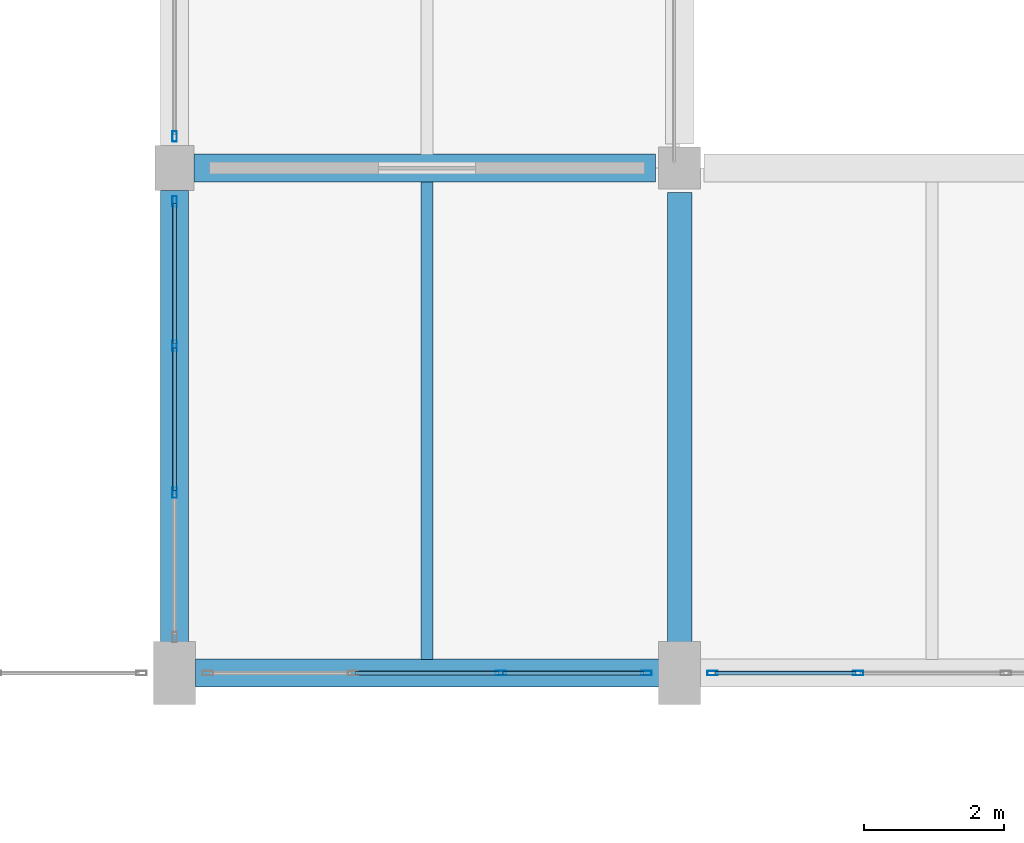
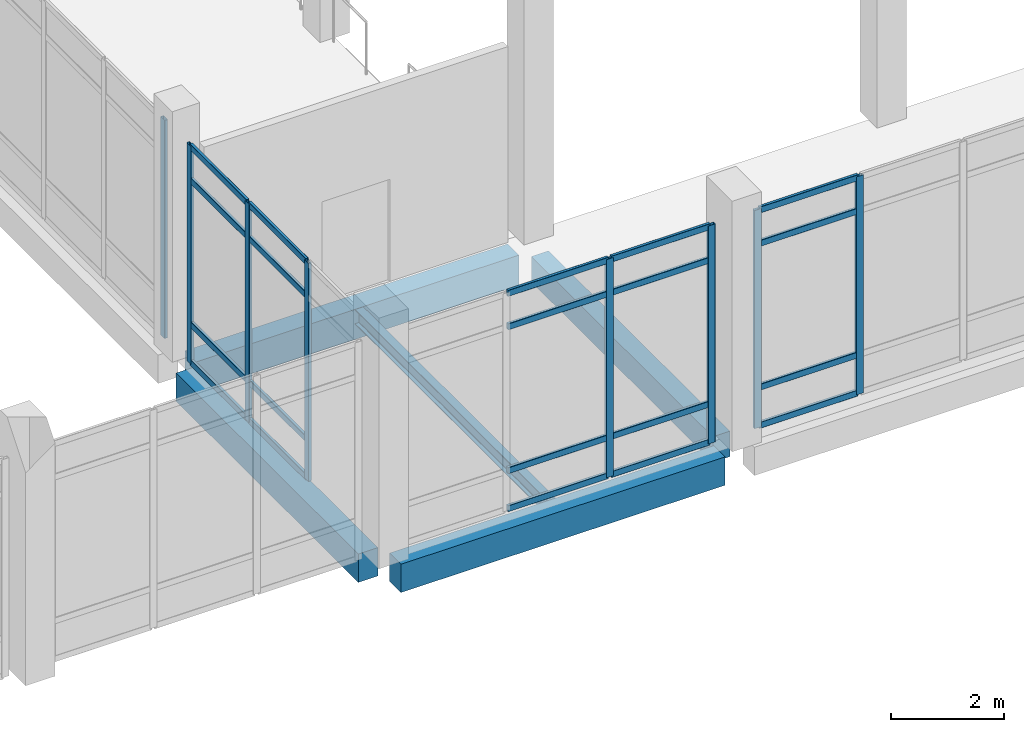
# One storey, part 105 of 180: 28 members, 5 beams, 4 elements without a shape of their own.
"""IFC4 building model written with IfcOpenShell, lengths in metres."""

from ifc_helpers import new_model, si_unit, direction, frame, origin, origin_2d, place, context, subcontext, project, spatial, rectangle, hollow_rectangle, i_section, extrude, material, material_profile, profile_set, type_object, element, aggregate, save


model = new_model("IFC4")

# Units and contexts
model_context = context("Model", 3, precision=1e-05, world=origin(), true_north=direction((0.0, 1.0)))
body_context = subcontext(model_context, "Body", "Model", "MODEL_VIEW")
ifc_project = project(units=[si_unit("LENGTHUNIT", "METRE"), si_unit("AREAUNIT", "SQUARE_METRE"), si_unit("VOLUMEUNIT", "CUBIC_METRE"), si_unit("PLANEANGLEUNIT", "RADIAN"), si_unit("MASSUNIT", "GRAM", prefix="KILO")], contexts=[model_context])

# Site, building, storey
site_placement = place(None, origin())
site = spatial("IfcSite", under=ifc_project, at=site_placement, CompositionType="ELEMENT")
building_placement = place(site_placement, origin())
building = spatial("IfcBuilding", under=site, at=building_placement, Name="Lusvemor Sports Hall", CompositionType="ELEMENT")
storey_placement = place(building_placement, frame((0.0, 0.0, 5.39990234375)))
storey = spatial("IfcBuildingStorey", under=building, at=storey_placement, Name="L01", CompositionType="ELEMENT", Elevation=5.39990234375)

# Beams
ifc_material_1 = material(Name="Concrete C40/50", Category="concrete")
ifc_material_profile_1 = material_profile(ifc_material_1, rectangle(XDim=0.35009765625, YDim=0.550048828125, at=origin_2d()), Name="RC350x550")
ifc_profile_set_1 = profile_set([ifc_material_profile_1], Name="Concrete C40/50")
beam_type_1 = type_object("IfcBeamType", Name="BEAM_RC_550", PredefinedType="BEAM", material=ifc_profile_set_1)
beam_1_placement = place(storey_placement, frame((140.39990234375, 40.0458984375, -0.534912109375), z_axis=(0.0, 1.0, 0.0), x_axis=(-1.0, 0.0, 0.0)))
element("IfcBeam", 1, at=beam_1_placement, inside=storey, type_object=beam_type_1, Name="Beam L01 16:E-F", PredefinedType="BEAM", context=body_context, shape_type="SweptSolid", body=[
    extrude(rectangle(XDim=0.35009765625, YDim=0.550048828125, at=origin_2d()), origin(), (0.0, 0.0, 1.0), 6.408203125),
])
ifc_material_2 = material(Name="Concrete C40/50", Category="concrete")
ifc_material_profile_2 = material_profile(ifc_material_2, rectangle(XDim=0.39990234375, YDim=0.64990234375, at=origin_2d()), Name="RC400x650")
ifc_profile_set_2 = profile_set([ifc_material_profile_2], Name="Concrete C40/50")
beam_type_2 = type_object("IfcBeamType", Name="BEAM_RC_650", PredefinedType="BEAM", material=ifc_profile_set_2)
beam_2_placement = place(storey_placement, frame((133.47607421875, 46.800048828125, -0.5849609375), z_axis=(1.0, 0.0, 0.0), x_axis=(0.0, 1.0, 0.0)))
element("IfcBeam", 2, at=beam_2_placement, inside=storey, type_object=beam_type_2, Name="Beam L01 F:15-16", PredefinedType="BEAM", context=body_context, shape_type="SweptSolid", body=[
    extrude(rectangle(XDim=0.39990234375, YDim=0.64990234375, at=origin_2d()), origin(), (0.0, 0.0, 1.0), 6.577880859375),
])

# Curtain wall, members
ifc_material_3 = material(Name="Thermally broken bronze-anodized aluminium", Category="aluminium")
curtain_wall_type_1 = type_object("IfcCurtainWallType", Name="CW_COURT_C", PredefinedType="NOTDEFINED", material=ifc_material_3)
curtain_wall_1_placement = place(storey_placement, origin())
curtain_wall_1 = element("IfcCurtainWall", 3, at=curtain_wall_1_placement, inside=storey, type_object=curtain_wall_type_1, Name="Curtain Wall CW-V2N-L01-2", PredefinedType="NOTDEFINED")
ifc_material_4 = material(Name="Thermally broken bronze-anodized aluminium", Category="aluminium")
ifc_material_profile_3 = material_profile(ifc_material_4, hollow_rectangle(XDim=0.06494140625, YDim=0.14990234375, WallThickness=0.00390625, InnerFilletRadius=0.00390625, OuterFilletRadius=0.008056640625, at=origin_2d()), Name="CWMUL150x65x4")
ifc_profile_set_3 = profile_set([ifc_material_profile_3], Name="Thermally broken bronze-anodized aluminium")
member_type_1 = type_object("IfcMemberType", Name="CW_MUL_B", PredefinedType="MULLION", material=ifc_profile_set_3)
member_1_placement = place(storey_placement, frame((137.853271484375, 39.60009765625, 0.0), z_axis=(0.0, 0.0, 1.0), x_axis=(0.0, 1.0, 0.0)))
member_1 = element("IfcMember", 4, at=member_1_placement, type_object=member_type_1, Name="CW03 mullion 3", PredefinedType="MULLION", context=body_context, shape_type="SweptSolid", body=[
    extrude(hollow_rectangle(XDim=0.06494140625, YDim=0.14990234375, WallThickness=0.00390625, InnerFilletRadius=0.00390625, OuterFilletRadius=0.008056640625, at=origin_2d()), origin(), (0.0, 0.0, 1.0), 4.7001953125),
])
member_2_placement = place(storey_placement, frame((139.927490234375, 39.60009765625, 0.0), z_axis=(0.0, 0.0, 1.0), x_axis=(0.0, 1.0, 0.0)))
member_2 = element("IfcMember", 5, at=member_2_placement, type_object=member_type_1, Name="CW03 mullion 4", PredefinedType="MULLION", context=body_context, shape_type="SweptSolid", body=[
    extrude(hollow_rectangle(XDim=0.06494140625, YDim=0.14990234375, WallThickness=0.00390625, InnerFilletRadius=0.00390625, OuterFilletRadius=0.008056640625, at=origin_2d()), origin(), (0.0, 0.0, 1.0), 4.7001953125),
])

curtain_wall_2_placement = place(storey_placement, origin())
curtain_wall_2 = element("IfcCurtainWall", 6, at=curtain_wall_2_placement, inside=storey, type_object=curtain_wall_type_1, Name="Curtain Wall CW-V2N-L01-3", PredefinedType="NOTDEFINED")
member_3_placement = place(storey_placement, frame((140.87255859375, 39.60009765625, 0.0), z_axis=(0.0, 0.0, 1.0), x_axis=(0.0, 1.0, 0.0)))
member_3 = element("IfcMember", 7, at=member_3_placement, type_object=member_type_1, Name="CW03 mullion 1", PredefinedType="MULLION", context=body_context, shape_type="SweptSolid", body=[
    extrude(hollow_rectangle(XDim=0.06494140625, YDim=0.14990234375, WallThickness=0.00390625, InnerFilletRadius=0.00390625, OuterFilletRadius=0.008056640625, at=origin_2d()), origin(), (0.0, 0.0, 1.0), 4.7001953125),
])
member_4_placement = place(storey_placement, frame((142.94677734375, 39.60009765625, 0.0), z_axis=(0.0, 0.0, 1.0), x_axis=(0.0, 1.0, 0.0)))
member_4 = element("IfcMember", 8, at=member_4_placement, type_object=member_type_1, Name="CW03 mullion 2", PredefinedType="MULLION", context=body_context, shape_type="SweptSolid", body=[
    extrude(hollow_rectangle(XDim=0.06494140625, YDim=0.14990234375, WallThickness=0.00390625, InnerFilletRadius=0.00390625, OuterFilletRadius=0.008056640625, at=origin_2d()), origin(), (0.0, 0.0, 1.0), 4.7001953125),
])

# Curtain wall, member
ifc_material_5 = material(Name="Thermally broken bronze-anodized aluminium", Category="aluminium")
curtain_wall_type_2 = type_object("IfcCurtainWallType", Name="CW_CLIMB_D", PredefinedType="NOTDEFINED", material=ifc_material_5)
curtain_wall_3_placement = place(storey_placement, origin())
curtain_wall_3 = element("IfcCurtainWall", 9, at=curtain_wall_3_placement, inside=storey, type_object=curtain_wall_type_2, Name="Curtain Wall CW-V3W-L01-0", PredefinedType="NOTDEFINED")
member_5_placement = place(storey_placement, frame((133.199951171875, 47.25244140625, 0.0), z_axis=(0.0, 0.0, 1.0), x_axis=(-1.0, 0.0, 0.0)))
member_5 = element("IfcMember", 10, at=member_5_placement, type_object=member_type_1, Name="CW04 mullion 1", PredefinedType="MULLION", context=body_context, shape_type="SweptSolid", body=[
    extrude(hollow_rectangle(XDim=0.06494140625, YDim=0.14990234375, WallThickness=0.00390625, InnerFilletRadius=0.00390625, OuterFilletRadius=0.008056640625, at=origin_2d()), origin(), (0.0, 0.0, 1.0), 4.7001953125),
])
aggregate(curtain_wall_3, [member_5])

# Curtain wall, members
ifc_material_6 = material(Name="Thermally broken bronze-anodized aluminium", Category="aluminium")
curtain_wall_type_3 = type_object("IfcCurtainWallType", Name="CW_PASSAGE_E", PredefinedType="NOTDEFINED", material=ifc_material_6)
curtain_wall_4_placement = place(storey_placement, origin())
curtain_wall_4 = element("IfcCurtainWall", 11, at=curtain_wall_4_placement, inside=storey, type_object=curtain_wall_type_3, Name="Curtain Wall CW-ELINK-133-L01", PredefinedType="NOTDEFINED")
member_6_placement = place(storey_placement, frame((133.199951171875, 42.17333984375, 0.0), z_axis=(0.0, 0.0, 1.0), x_axis=(-1.0, 0.0, 0.0)))
member_6 = element("IfcMember", 12, at=member_6_placement, type_object=member_type_1, Name="CW05 mullion 2", PredefinedType="MULLION", context=body_context, shape_type="SweptSolid", body=[
    extrude(hollow_rectangle(XDim=0.06494140625, YDim=0.14990234375, WallThickness=0.00390625, InnerFilletRadius=0.00390625, OuterFilletRadius=0.008056640625, at=origin_2d()), origin(), (0.0, 0.0, 1.0), 4.7001953125),
])
member_7_placement = place(storey_placement, frame((133.199951171875, 44.2666015625, 0.0), z_axis=(0.0, 0.0, 1.0), x_axis=(-1.0, 0.0, 0.0)))
member_7 = element("IfcMember", 13, at=member_7_placement, type_object=member_type_1, Name="CW05 mullion 3", PredefinedType="MULLION", context=body_context, shape_type="SweptSolid", body=[
    extrude(hollow_rectangle(XDim=0.06494140625, YDim=0.14990234375, WallThickness=0.00390625, InnerFilletRadius=0.00390625, OuterFilletRadius=0.008056640625, at=origin_2d()), origin(), (0.0, 0.0, 1.0), 4.7001953125),
])
member_8_placement = place(storey_placement, frame((133.199951171875, 46.327392578125, 0.0), z_axis=(0.0, 0.0, 1.0), x_axis=(-1.0, 0.0, 0.0)))
member_8 = element("IfcMember", 14, at=member_8_placement, type_object=member_type_1, Name="CW05 mullion 4", PredefinedType="MULLION", context=body_context, shape_type="SweptSolid", body=[
    extrude(hollow_rectangle(XDim=0.06494140625, YDim=0.14990234375, WallThickness=0.00390625, InnerFilletRadius=0.00390625, OuterFilletRadius=0.008056640625, at=origin_2d()), origin(), (0.0, 0.0, 1.0), 4.7001953125),
])

# Member
ifc_material_7 = material(Name="Thermally broken bronze-anodized aluminium", Category="aluminium")
ifc_material_profile_4 = material_profile(ifc_material_7, hollow_rectangle(XDim=0.06005859375, YDim=0.135009765625, WallThickness=0.00390625, InnerFilletRadius=0.00390625, OuterFilletRadius=0.008056640625, at=origin_2d()), Name="CWTRN135x60x4")
ifc_profile_set_4 = profile_set([ifc_material_profile_4], Name="Thermally broken bronze-anodized aluminium")
member_type_2 = type_object("IfcMemberType", Name="CW_TRN_B", PredefinedType="USERDEFINED", material=ifc_profile_set_4)
member_9_placement = place(storey_placement, frame((135.779052734375, 39.60009765625, 0.030029296875), z_axis=(1.0, 0.0, 0.0), x_axis=(0.0, 1.0, 0.0)))
member_9 = element("IfcMember", 15, at=member_9_placement, type_object=member_type_2, Name="CW03 transom 2.1", ObjectType="TRANSOM", PredefinedType="USERDEFINED", context=body_context, shape_type="SweptSolid", body=[
    extrude(hollow_rectangle(XDim=0.06005859375, YDim=0.135009765625, WallThickness=0.00390625, InnerFilletRadius=0.00390625, OuterFilletRadius=0.008056640625, at=origin_2d()), origin(), (0.0, 0.0, 1.0), 2.041748046875),
])

member_10_placement = place(storey_placement, frame((135.779052734375, 39.60009765625, 0.85009765625), z_axis=(1.0, 0.0, 0.0), x_axis=(0.0, 1.0, 0.0)))
member_10 = element("IfcMember", 16, at=member_10_placement, type_object=member_type_2, Name="CW03 transom 2.2", ObjectType="TRANSOM", PredefinedType="USERDEFINED", context=body_context, shape_type="SweptSolid", body=[
    extrude(hollow_rectangle(XDim=0.06005859375, YDim=0.135009765625, WallThickness=0.00390625, InnerFilletRadius=0.00390625, OuterFilletRadius=0.008056640625, at=origin_2d()), origin(), (0.0, 0.0, 1.0), 2.041748046875),
])

member_11_placement = place(storey_placement, frame((135.779052734375, 39.60009765625, 3.9501953125), z_axis=(1.0, 0.0, 0.0), x_axis=(0.0, 1.0, 0.0)))
member_11 = element("IfcMember", 17, at=member_11_placement, type_object=member_type_2, Name="CW03 transom 2.3", ObjectType="TRANSOM", PredefinedType="USERDEFINED", context=body_context, shape_type="SweptSolid", body=[
    extrude(hollow_rectangle(XDim=0.06005859375, YDim=0.135009765625, WallThickness=0.00390625, InnerFilletRadius=0.00390625, OuterFilletRadius=0.008056640625, at=origin_2d()), origin(), (0.0, 0.0, 1.0), 2.041748046875),
])

member_12_placement = place(storey_placement, frame((135.779052734375, 39.60009765625, 4.670166015625), z_axis=(1.0, 0.0, 0.0), x_axis=(0.0, 1.0, 0.0)))
member_12 = element("IfcMember", 18, at=member_12_placement, type_object=member_type_2, Name="CW03 transom 2.4", ObjectType="TRANSOM", PredefinedType="USERDEFINED", context=body_context, shape_type="SweptSolid", body=[
    extrude(hollow_rectangle(XDim=0.06005859375, YDim=0.135009765625, WallThickness=0.00390625, InnerFilletRadius=0.00390625, OuterFilletRadius=0.008056640625, at=origin_2d()), origin(), (0.0, 0.0, 1.0), 2.041748046875),
])

member_13_placement = place(storey_placement, frame((137.8857421875, 39.60009765625, 0.030029296875), z_axis=(1.0, 0.0, 0.0), x_axis=(0.0, 1.0, 0.0)))
member_13 = element("IfcMember", 19, at=member_13_placement, type_object=member_type_2, Name="CW03 transom 3.1", ObjectType="TRANSOM", PredefinedType="USERDEFINED", context=body_context, shape_type="SweptSolid", body=[
    extrude(hollow_rectangle(XDim=0.06005859375, YDim=0.135009765625, WallThickness=0.00390625, InnerFilletRadius=0.00390625, OuterFilletRadius=0.008056640625, at=origin_2d()), origin(), (0.0, 0.0, 1.0), 2.00927734375),
])

member_14_placement = place(storey_placement, frame((137.8857421875, 39.60009765625, 0.85009765625), z_axis=(1.0, 0.0, 0.0), x_axis=(0.0, 1.0, 0.0)))
member_14 = element("IfcMember", 20, at=member_14_placement, type_object=member_type_2, Name="CW03 transom 3.2", ObjectType="TRANSOM", PredefinedType="USERDEFINED", context=body_context, shape_type="SweptSolid", body=[
    extrude(hollow_rectangle(XDim=0.06005859375, YDim=0.135009765625, WallThickness=0.00390625, InnerFilletRadius=0.00390625, OuterFilletRadius=0.008056640625, at=origin_2d()), origin(), (0.0, 0.0, 1.0), 2.00927734375),
])

member_15_placement = place(storey_placement, frame((137.8857421875, 39.60009765625, 3.9501953125), z_axis=(1.0, 0.0, 0.0), x_axis=(0.0, 1.0, 0.0)))
member_15 = element("IfcMember", 21, at=member_15_placement, type_object=member_type_2, Name="CW03 transom 3.3", ObjectType="TRANSOM", PredefinedType="USERDEFINED", context=body_context, shape_type="SweptSolid", body=[
    extrude(hollow_rectangle(XDim=0.06005859375, YDim=0.135009765625, WallThickness=0.00390625, InnerFilletRadius=0.00390625, OuterFilletRadius=0.008056640625, at=origin_2d()), origin(), (0.0, 0.0, 1.0), 2.00927734375),
])

member_16_placement = place(storey_placement, frame((137.8857421875, 39.60009765625, 4.670166015625), z_axis=(1.0, 0.0, 0.0), x_axis=(0.0, 1.0, 0.0)))
member_16 = element("IfcMember", 22, at=member_16_placement, type_object=member_type_2, Name="CW03 transom 3.4", ObjectType="TRANSOM", PredefinedType="USERDEFINED", context=body_context, shape_type="SweptSolid", body=[
    extrude(hollow_rectangle(XDim=0.06005859375, YDim=0.135009765625, WallThickness=0.00390625, InnerFilletRadius=0.00390625, OuterFilletRadius=0.008056640625, at=origin_2d()), origin(), (0.0, 0.0, 1.0), 2.00927734375),
])

aggregate(curtain_wall_1, [member_1, member_2, member_9, member_10, member_11, member_12, member_13, member_14, member_15, member_16])

member_17_placement = place(storey_placement, frame((140.905029296875, 39.60009765625, 0.030029296875), z_axis=(1.0, 0.0, 0.0), x_axis=(0.0, 1.0, 0.0)))
member_17 = element("IfcMember", 23, at=member_17_placement, type_object=member_type_2, Name="CW03 transom 1.1", ObjectType="TRANSOM", PredefinedType="USERDEFINED", context=body_context, shape_type="SweptSolid", body=[
    extrude(hollow_rectangle(XDim=0.06005859375, YDim=0.135009765625, WallThickness=0.00390625, InnerFilletRadius=0.00390625, OuterFilletRadius=0.008056640625, at=origin_2d()), origin(), (0.0, 0.0, 1.0), 2.009033203125),
])

member_18_placement = place(storey_placement, frame((140.905029296875, 39.60009765625, 0.85009765625), z_axis=(1.0, 0.0, 0.0), x_axis=(0.0, 1.0, 0.0)))
member_18 = element("IfcMember", 24, at=member_18_placement, type_object=member_type_2, Name="CW03 transom 1.2", ObjectType="TRANSOM", PredefinedType="USERDEFINED", context=body_context, shape_type="SweptSolid", body=[
    extrude(hollow_rectangle(XDim=0.06005859375, YDim=0.135009765625, WallThickness=0.00390625, InnerFilletRadius=0.00390625, OuterFilletRadius=0.008056640625, at=origin_2d()), origin(), (0.0, 0.0, 1.0), 2.009033203125),
])

member_19_placement = place(storey_placement, frame((140.905029296875, 39.60009765625, 3.9501953125), z_axis=(1.0, 0.0, 0.0), x_axis=(0.0, 1.0, 0.0)))
member_19 = element("IfcMember", 25, at=member_19_placement, type_object=member_type_2, Name="CW03 transom 1.3", ObjectType="TRANSOM", PredefinedType="USERDEFINED", context=body_context, shape_type="SweptSolid", body=[
    extrude(hollow_rectangle(XDim=0.06005859375, YDim=0.135009765625, WallThickness=0.00390625, InnerFilletRadius=0.00390625, OuterFilletRadius=0.008056640625, at=origin_2d()), origin(), (0.0, 0.0, 1.0), 2.009033203125),
])

member_20_placement = place(storey_placement, frame((140.905029296875, 39.60009765625, 4.670166015625), z_axis=(1.0, 0.0, 0.0), x_axis=(0.0, 1.0, 0.0)))
member_20 = element("IfcMember", 26, at=member_20_placement, type_object=member_type_2, Name="CW03 transom 1.4", ObjectType="TRANSOM", PredefinedType="USERDEFINED", context=body_context, shape_type="SweptSolid", body=[
    extrude(hollow_rectangle(XDim=0.06005859375, YDim=0.135009765625, WallThickness=0.00390625, InnerFilletRadius=0.00390625, OuterFilletRadius=0.008056640625, at=origin_2d()), origin(), (0.0, 0.0, 1.0), 2.009033203125),
])

aggregate(curtain_wall_2, [member_3, member_4, member_17, member_18, member_19, member_20])

member_21_placement = place(storey_placement, frame((133.199951171875, 42.205810546875, 0.030029296875), z_axis=(0.0, 1.0, 0.0), x_axis=(-1.0, 0.0, 0.0)))
member_21 = element("IfcMember", 27, at=member_21_placement, type_object=member_type_2, Name="CW05 transom 2.1", ObjectType="TRANSOM", PredefinedType="USERDEFINED", context=body_context, shape_type="SweptSolid", body=[
    extrude(hollow_rectangle(XDim=0.06005859375, YDim=0.135009765625, WallThickness=0.00390625, InnerFilletRadius=0.00390625, OuterFilletRadius=0.008056640625, at=origin_2d()), origin(), (0.0, 0.0, 1.0), 2.0283203125),
])

member_22_placement = place(storey_placement, frame((133.199951171875, 42.205810546875, 0.85009765625), z_axis=(0.0, 1.0, 0.0), x_axis=(-1.0, 0.0, 0.0)))
member_22 = element("IfcMember", 28, at=member_22_placement, type_object=member_type_2, Name="CW05 transom 2.2", ObjectType="TRANSOM", PredefinedType="USERDEFINED", context=body_context, shape_type="SweptSolid", body=[
    extrude(hollow_rectangle(XDim=0.06005859375, YDim=0.135009765625, WallThickness=0.00390625, InnerFilletRadius=0.00390625, OuterFilletRadius=0.008056640625, at=origin_2d()), origin(), (0.0, 0.0, 1.0), 2.0283203125),
])

member_23_placement = place(storey_placement, frame((133.199951171875, 42.205810546875, 3.9501953125), z_axis=(0.0, 1.0, 0.0), x_axis=(-1.0, 0.0, 0.0)))
member_23 = element("IfcMember", 29, at=member_23_placement, type_object=member_type_2, Name="CW05 transom 2.3", ObjectType="TRANSOM", PredefinedType="USERDEFINED", context=body_context, shape_type="SweptSolid", body=[
    extrude(hollow_rectangle(XDim=0.06005859375, YDim=0.135009765625, WallThickness=0.00390625, InnerFilletRadius=0.00390625, OuterFilletRadius=0.008056640625, at=origin_2d()), origin(), (0.0, 0.0, 1.0), 2.0283203125),
])

member_24_placement = place(storey_placement, frame((133.199951171875, 42.205810546875, 4.670166015625), z_axis=(0.0, 1.0, 0.0), x_axis=(-1.0, 0.0, 0.0)))
member_24 = element("IfcMember", 30, at=member_24_placement, type_object=member_type_2, Name="CW05 transom 2.4", ObjectType="TRANSOM", PredefinedType="USERDEFINED", context=body_context, shape_type="SweptSolid", body=[
    extrude(hollow_rectangle(XDim=0.06005859375, YDim=0.135009765625, WallThickness=0.00390625, InnerFilletRadius=0.00390625, OuterFilletRadius=0.008056640625, at=origin_2d()), origin(), (0.0, 0.0, 1.0), 2.0283203125),
])

member_25_placement = place(storey_placement, frame((133.199951171875, 44.299072265625, 0.030029296875), z_axis=(0.0, 1.0, 0.0), x_axis=(-1.0, 0.0, 0.0)))
member_25 = element("IfcMember", 31, at=member_25_placement, type_object=member_type_2, Name="CW05 transom 3.1", ObjectType="TRANSOM", PredefinedType="USERDEFINED", context=body_context, shape_type="SweptSolid", body=[
    extrude(hollow_rectangle(XDim=0.06005859375, YDim=0.135009765625, WallThickness=0.00390625, InnerFilletRadius=0.00390625, OuterFilletRadius=0.008056640625, at=origin_2d()), origin(), (0.0, 0.0, 1.0), 1.995849609375),
])

member_26_placement = place(storey_placement, frame((133.199951171875, 44.299072265625, 0.85009765625), z_axis=(0.0, 1.0, 0.0), x_axis=(-1.0, 0.0, 0.0)))
member_26 = element("IfcMember", 32, at=member_26_placement, type_object=member_type_2, Name="CW05 transom 3.2", ObjectType="TRANSOM", PredefinedType="USERDEFINED", context=body_context, shape_type="SweptSolid", body=[
    extrude(hollow_rectangle(XDim=0.06005859375, YDim=0.135009765625, WallThickness=0.00390625, InnerFilletRadius=0.00390625, OuterFilletRadius=0.008056640625, at=origin_2d()), origin(), (0.0, 0.0, 1.0), 1.995849609375),
])

member_27_placement = place(storey_placement, frame((133.199951171875, 44.299072265625, 3.9501953125), z_axis=(0.0, 1.0, 0.0), x_axis=(-1.0, 0.0, 0.0)))
member_27 = element("IfcMember", 33, at=member_27_placement, type_object=member_type_2, Name="CW05 transom 3.3", ObjectType="TRANSOM", PredefinedType="USERDEFINED", context=body_context, shape_type="SweptSolid", body=[
    extrude(hollow_rectangle(XDim=0.06005859375, YDim=0.135009765625, WallThickness=0.00390625, InnerFilletRadius=0.00390625, OuterFilletRadius=0.008056640625, at=origin_2d()), origin(), (0.0, 0.0, 1.0), 1.995849609375),
])

member_28_placement = place(storey_placement, frame((133.199951171875, 44.299072265625, 4.670166015625), z_axis=(0.0, 1.0, 0.0), x_axis=(-1.0, 0.0, 0.0)))
member_28 = element("IfcMember", 34, at=member_28_placement, type_object=member_type_2, Name="CW05 transom 3.4", ObjectType="TRANSOM", PredefinedType="USERDEFINED", context=body_context, shape_type="SweptSolid", body=[
    extrude(hollow_rectangle(XDim=0.06005859375, YDim=0.135009765625, WallThickness=0.00390625, InnerFilletRadius=0.00390625, OuterFilletRadius=0.008056640625, at=origin_2d()), origin(), (0.0, 0.0, 1.0), 1.995849609375),
])

aggregate(curtain_wall_4, [member_6, member_7, member_8, member_21, member_22, member_23, member_24, member_25, member_26, member_27, member_28])

# Beams
ifc_material_8 = material(Name="Steel S355", Category="steel")
ifc_material_profile_5 = material_profile(ifc_material_8, i_section(OverallWidth=0.1669921875, OverallDepth=0.31689453125, WebThickness=0.007568359375, FlangeThickness=0.01318359375, FilletRadius=0.014892578125, at=origin_2d()), Name="W310x52.0")
ifc_profile_set_5 = profile_set([ifc_material_profile_5], Name="Steel S355")
beam_type_3 = type_object("IfcBeamType", Name="JOIST_ST_310M", PredefinedType="JOIST", material=ifc_profile_set_5)
beam_3_placement = place(storey_placement, frame((136.800048828125, 39.7958984375, -0.42236328125), z_axis=(0.0, 1.0, 0.0), x_axis=(-1.0, 0.0, 0.0)))
element("IfcBeam", 35, at=beam_3_placement, inside=storey, type_object=beam_type_3, Name="Secondary Joist L01 15-16/E-F #1", PredefinedType="JOIST", context=body_context, shape_type="SweptSolid", body=[
    extrude(i_section(OverallWidth=0.1669921875, OverallDepth=0.31689453125, WebThickness=0.007568359375, FlangeThickness=0.01318359375, FilletRadius=0.014892578125, at=origin_2d()), origin(), (0.0, 0.0, 1.0), 6.80810546875),
])
ifc_material_9 = material(Name="Concrete C40/50", Category="concrete")
ifc_material_profile_6 = material_profile(ifc_material_9, rectangle(XDim=0.39990234375, YDim=0.610107421875, at=origin_2d()), Name="RC400x610")
ifc_profile_set_6 = profile_set([ifc_material_profile_6], Name="Concrete C40/50")
beam_type_4 = type_object("IfcBeamType", Name="SPAND_EXT_650", PredefinedType="SPANDREL", material=ifc_profile_set_6)
beam_4_placement = place(storey_placement, frame((133.49609375, 39.60009765625, -0.56494140625), z_axis=(1.0, 0.0, 0.0), x_axis=(0.0, 1.0, 0.0)))
element("IfcBeam", 36, at=beam_4_placement, inside=storey, type_object=beam_type_4, Name="Beam L01 E:15-16", PredefinedType="SPANDREL", context=body_context, shape_type="SweptSolid", body=[
    extrude(rectangle(XDim=0.39990234375, YDim=0.610107421875, at=origin_2d()), origin(), (0.0, 0.0, 1.0), 6.60791015625),
])
beam_5_placement = place(storey_placement, frame((133.199951171875, 40.0458984375, -0.56494140625), z_axis=(0.0, 1.0, 0.0), x_axis=(-1.0, 0.0, 0.0)))
element("IfcBeam", 37, at=beam_5_placement, inside=storey, type_object=beam_type_4, Name="Beam L01 15:E-F", PredefinedType="SPANDREL", context=body_context, shape_type="SweptSolid", body=[
    extrude(rectangle(XDim=0.39990234375, YDim=0.610107421875, at=origin_2d()), origin(), (0.0, 0.0, 1.0), 6.43798828125),
])

save(model, "model.ifc")
